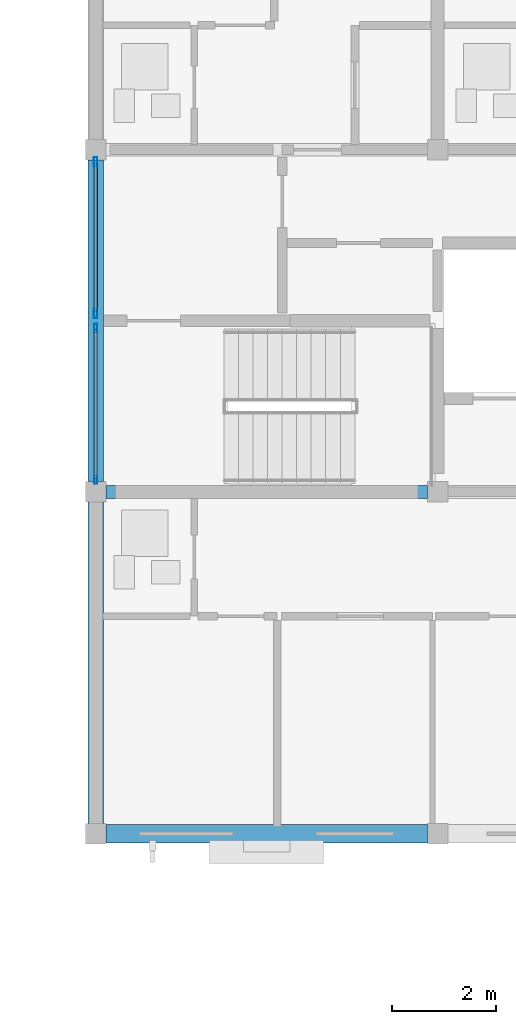
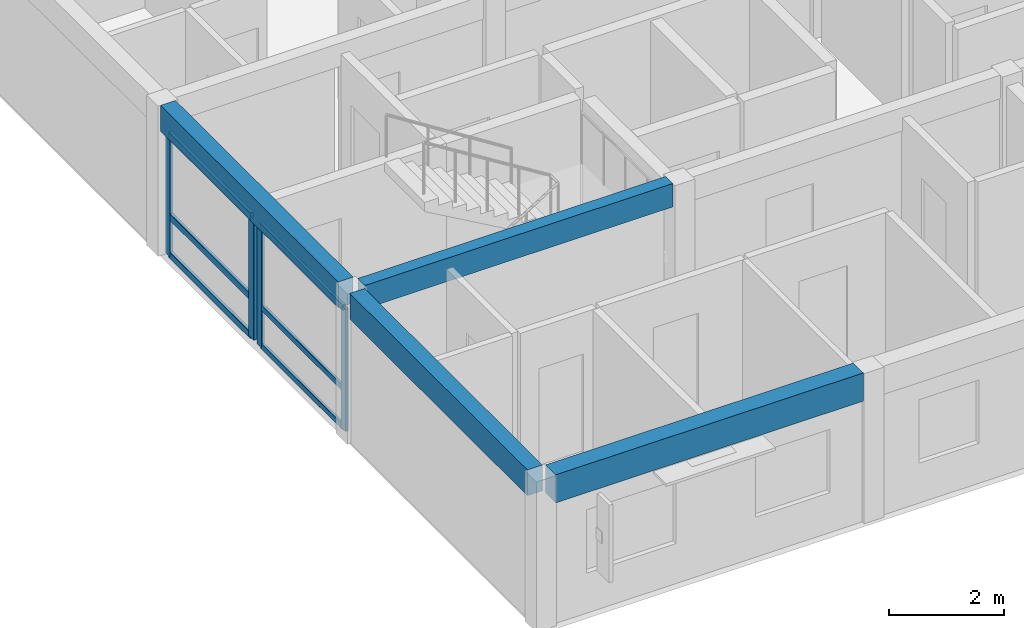
# One storey, part 6 of 22: 10 members, 4 beams, 2 elements without a shape of their own.
"""IFC4 building model written with IfcOpenShell, lengths in metres."""

from ifc_helpers import new_model, si_unit, direction, frame, origin, origin_2d, place, context, subcontext, project, spatial, rectangle, hollow_rectangle, extrude, material, material_profile, profile_set, type_object, element, aggregate, save


model = new_model("IFC4")

# Units and contexts
model_context = context("Model", 3, precision=1e-05, world=origin(), true_north=direction((0.0, 1.0)))
body_context = subcontext(model_context, "Body", "Model", "MODEL_VIEW")
ifc_project = project(units=[si_unit("LENGTHUNIT", "METRE"), si_unit("AREAUNIT", "SQUARE_METRE"), si_unit("VOLUMEUNIT", "CUBIC_METRE"), si_unit("PLANEANGLEUNIT", "RADIAN"), si_unit("MASSUNIT", "GRAM", prefix="KILO")], contexts=[model_context])

# Site, building, storey
site_placement = place(None, origin())
site = spatial("IfcSite", under=ifc_project, at=site_placement, CompositionType="ELEMENT")
building_placement = place(site_placement, origin())
building = spatial("IfcBuilding", under=site, at=building_placement, Name="Kernevlak Ridge Housing Community", CompositionType="ELEMENT")
storey_placement = place(building_placement, frame((0.0, 0.0, 43.60009765625)))
storey = spatial("IfcBuildingStorey", under=building, at=storey_placement, Name="L13", CompositionType="ELEMENT", Elevation=43.60009765625)

# Beam
ifc_material_1 = material(Name="Concrete C35/45", Category="concrete")
ifc_material_profile_1 = material_profile(ifc_material_1, rectangle(XDim=0.25, YDim=0.5, at=origin_2d()), Name="RC 250x500")
ifc_profile_set_1 = profile_set([ifc_material_profile_1], Name="Concrete C35/45")
beam_type_1 = type_object("IfcBeamType", Name="B-06", PredefinedType="T_BEAM", material=ifc_profile_set_1)
beam_1_placement = place(storey_placement, frame((119.60009765625, 89.199951171875, 2.949951171875), z_axis=(1.0, 0.0, 0.0), x_axis=(0.0, 1.0, 0.0)))
element("IfcBeam", 1, at=beam_1_placement, inside=storey, type_object=beam_type_1, Name="Beam B-06 L13 919", PredefinedType="T_BEAM", context=body_context, shape_type="SweptSolid", body=[
    extrude(rectangle(XDim=0.25, YDim=0.5, at=origin_2d()), origin(), (0.0, 0.0, 1.0), 6.199951171875),
])

# Curtain wall, members
ifc_material_2 = material(Name="Aluminium EN AW-6060 anodised and laminated glass", Category="aluminium")
curtain_wall_type_1 = type_object("IfcCurtainWallType", Name="CW-04", PredefinedType="NOTDEFINED", material=ifc_material_2)
curtain_wall_1_placement = place(storey_placement, origin())
curtain_wall_1 = element("IfcCurtainWall", 2, at=curtain_wall_1_placement, inside=storey, type_object=curtain_wall_type_1, Name="Curtain wall CW-04 CW-L13-094", PredefinedType="NOTDEFINED")
ifc_material_3 = material(Name="Aluminium EN AW-6060 anodised", Category="aluminium")
ifc_material_profile_2 = material_profile(ifc_material_3, hollow_rectangle(XDim=0.06005859375, YDim=0.159912109375, WallThickness=0.00390625, InnerFilletRadius=0.001953125, OuterFilletRadius=0.00390625, at=origin_2d()), Name="ALU 60x160x4")
ifc_profile_set_2 = profile_set([ifc_material_profile_2], Name="Aluminium EN AW-6060 anodised")
member_type_1 = type_object("IfcMemberType", Name="MU-02", PredefinedType="MULLION", material=ifc_profile_set_2)
member_1_placement = place(storey_placement, frame((119.39990234375, 89.429931640625, 0.0), z_axis=(0.0, 0.0, 1.0), x_axis=(-1.0, 0.0, 0.0)))
member_1 = element("IfcMember", 3, at=member_1_placement, type_object=member_type_1, Name="CW-04 mullion 1", PredefinedType="MULLION", context=body_context, shape_type="SweptSolid", body=[
    extrude(hollow_rectangle(XDim=0.06005859375, YDim=0.159912109375, WallThickness=0.00390625, InnerFilletRadius=0.001953125, OuterFilletRadius=0.00390625, at=origin_2d()), origin(), (0.0, 0.0, 1.0), 2.599853515625),
])
member_2_placement = place(storey_placement, frame((119.39990234375, 92.360107421875, 0.0), z_axis=(0.0, 0.0, 1.0), x_axis=(-1.0, 0.0, 0.0)))
member_2 = element("IfcMember", 4, at=member_2_placement, type_object=member_type_1, Name="CW-04 mullion 2", PredefinedType="MULLION", context=body_context, shape_type="SweptSolid", body=[
    extrude(hollow_rectangle(XDim=0.06005859375, YDim=0.159912109375, WallThickness=0.00390625, InnerFilletRadius=0.001953125, OuterFilletRadius=0.00390625, at=origin_2d()), origin(), (0.0, 0.0, 1.0), 2.599853515625),
])

curtain_wall_type_2 = type_object("IfcCurtainWallType", Name="CW-11", PredefinedType="NOTDEFINED", material=ifc_material_2)
curtain_wall_2_placement = place(storey_placement, origin())
curtain_wall_2 = element("IfcCurtainWall", 5, at=curtain_wall_2_placement, inside=storey, type_object=curtain_wall_type_2, Name="Curtain wall CW-11 CW-L13-095", PredefinedType="NOTDEFINED")
ifc_material_profile_3 = material_profile(ifc_material_3, hollow_rectangle(XDim=0.06494140625, YDim=0.179931640625, WallThickness=0.00439453125, InnerFilletRadius=0.001953125, OuterFilletRadius=0.00439453125, at=origin_2d()), Name="ALU 65x180x4.5")
ifc_profile_set_3 = profile_set([ifc_material_profile_3], Name="Aluminium EN AW-6060 anodised")
member_type_2 = type_object("IfcMemberType", Name="MU-03", PredefinedType="MULLION", material=ifc_profile_set_3)
member_3_placement = place(storey_placement, frame((119.39990234375, 92.642578125, 0.0), z_axis=(0.0, 0.0, 1.0), x_axis=(-1.0, 0.0, 0.0)))
member_3 = element("IfcMember", 6, at=member_3_placement, type_object=member_type_2, Name="CW-11 mullion 1", PredefinedType="MULLION", context=body_context, shape_type="SweptSolid", body=[
    extrude(hollow_rectangle(XDim=0.06494140625, YDim=0.179931640625, WallThickness=0.00439453125, InnerFilletRadius=0.001953125, OuterFilletRadius=0.00439453125, at=origin_2d()), origin(), (0.0, 0.0, 1.0), 2.599853515625),
])
member_4_placement = place(storey_placement, frame((119.39990234375, 95.5673828125, 0.0), z_axis=(0.0, 0.0, 1.0), x_axis=(-1.0, 0.0, 0.0)))
member_4 = element("IfcMember", 7, at=member_4_placement, type_object=member_type_2, Name="CW-11 mullion 2", PredefinedType="MULLION", context=body_context, shape_type="SweptSolid", body=[
    extrude(hollow_rectangle(XDim=0.06494140625, YDim=0.179931640625, WallThickness=0.00439453125, InnerFilletRadius=0.001953125, OuterFilletRadius=0.00439453125, at=origin_2d()), origin(), (0.0, 0.0, 1.0), 2.599853515625),
])

# Beams
ifc_material_profile_4 = material_profile(ifc_material_1, rectangle(XDim=0.300048828125, YDim=0.550048828125, at=origin_2d()), Name="RC 300x550")
ifc_profile_set_4 = profile_set([ifc_material_profile_4], Name="Concrete C35/45")
beam_type_2 = type_object("IfcBeamType", Name="SP-01", PredefinedType="SPANDREL", material=ifc_profile_set_4)
beam_2_placement = place(storey_placement, frame((119.39990234375, 82.800048828125, 2.9248046875), z_axis=(0.0, 1.0, 0.0), x_axis=(-1.0, 0.0, 0.0)))
element("IfcBeam", 8, at=beam_2_placement, inside=storey, type_object=beam_type_2, Name="Beam SP-01 L13 931", PredefinedType="SPANDREL", context=body_context, shape_type="SweptSolid", body=[
    extrude(rectangle(XDim=0.300048828125, YDim=0.550048828125, at=origin_2d()), origin(), (0.0, 0.0, 1.0), 6.199951171875),
])
beam_3_placement = place(storey_placement, frame((119.39990234375, 89.39990234375, 2.9248046875), z_axis=(0.0, 1.0, 0.0), x_axis=(-1.0, 0.0, 0.0)))
element("IfcBeam", 9, at=beam_3_placement, inside=storey, type_object=beam_type_2, Name="Beam SP-01 L13 932", PredefinedType="SPANDREL", context=body_context, shape_type="SweptSolid", body=[
    extrude(rectangle(XDim=0.300048828125, YDim=0.550048828125, at=origin_2d()), origin(), (0.0, 0.0, 1.0), 6.2001953125),
])
ifc_material_profile_5 = material_profile(ifc_material_1, rectangle(XDim=0.35009765625, YDim=0.60009765625, at=origin_2d()), Name="RC 350x600")
ifc_profile_set_5 = profile_set([ifc_material_profile_5], Name="Concrete C35/45")
beam_type_3 = type_object("IfcBeamType", Name="SP-03", PredefinedType="SPANDREL", material=ifc_profile_set_5)
beam_4_placement = place(storey_placement, frame((119.60009765625, 82.60009765625, 2.89990234375), z_axis=(1.0, 0.0, 0.0), x_axis=(0.0, 1.0, 0.0)))
element("IfcBeam", 10, at=beam_4_placement, inside=storey, type_object=beam_type_3, Name="Beam SP-03 L13 915", PredefinedType="SPANDREL", context=body_context, shape_type="SweptSolid", body=[
    extrude(rectangle(XDim=0.35009765625, YDim=0.60009765625, at=origin_2d()), origin(), (0.0, 0.0, 1.0), 6.199951171875),
])

# Member
ifc_material_profile_6 = material_profile(ifc_material_3, hollow_rectangle(XDim=0.06005859375, YDim=0.1201171875, WallThickness=0.00390625, InnerFilletRadius=0.001953125, OuterFilletRadius=0.00390625, at=origin_2d()), Name="ALU 60x120x4")
ifc_profile_set_6 = profile_set([ifc_material_profile_6], Name="Aluminium EN AW-6060 anodised")
member_type_3 = type_object("IfcMemberType", Name="TM-02", PredefinedType="USERDEFINED", material=ifc_profile_set_6)
member_5_placement = place(storey_placement, frame((119.39990234375, 89.4599609375, 0.02978515625), z_axis=(0.0, 1.0, 0.0), x_axis=(-1.0, 0.0, 0.0)))
member_5 = element("IfcMember", 11, at=member_5_placement, type_object=member_type_3, Name="CW-04 transom 1.1", ObjectType="TRANSOM", PredefinedType="USERDEFINED", context=body_context, shape_type="SweptSolid", body=[
    extrude(hollow_rectangle(XDim=0.06005859375, YDim=0.1201171875, WallThickness=0.00390625, InnerFilletRadius=0.001953125, OuterFilletRadius=0.00390625, at=origin_2d()), origin(), (0.0, 0.0, 1.0), 2.8701171875),
])

member_6_placement = place(storey_placement, frame((119.39990234375, 89.4599609375, 0.849853515625), z_axis=(0.0, 1.0, 0.0), x_axis=(-1.0, 0.0, 0.0)))
member_6 = element("IfcMember", 12, at=member_6_placement, type_object=member_type_3, Name="CW-04 transom 1.2", ObjectType="TRANSOM", PredefinedType="USERDEFINED", context=body_context, shape_type="SweptSolid", body=[
    extrude(hollow_rectangle(XDim=0.06005859375, YDim=0.1201171875, WallThickness=0.00390625, InnerFilletRadius=0.001953125, OuterFilletRadius=0.00390625, at=origin_2d()), origin(), (0.0, 0.0, 1.0), 2.8701171875),
])

member_7_placement = place(storey_placement, frame((119.39990234375, 89.4599609375, 2.56982421875), z_axis=(0.0, 1.0, 0.0), x_axis=(-1.0, 0.0, 0.0)))
member_7 = element("IfcMember", 13, at=member_7_placement, type_object=member_type_3, Name="CW-04 transom 1.3", ObjectType="TRANSOM", PredefinedType="USERDEFINED", context=body_context, shape_type="SweptSolid", body=[
    extrude(hollow_rectangle(XDim=0.06005859375, YDim=0.1201171875, WallThickness=0.00390625, InnerFilletRadius=0.001953125, OuterFilletRadius=0.00390625, at=origin_2d()), origin(), (0.0, 0.0, 1.0), 2.8701171875),
])

aggregate(curtain_wall_1, [member_1, member_2, member_5, member_6, member_7])

ifc_material_profile_7 = material_profile(ifc_material_3, hollow_rectangle(XDim=0.06494140625, YDim=0.139892578125, WallThickness=0.00390625, InnerFilletRadius=0.001953125, OuterFilletRadius=0.00390625, at=origin_2d()), Name="ALU 65x140x4")
ifc_profile_set_7 = profile_set([ifc_material_profile_7], Name="Aluminium EN AW-6060 anodised")
member_type_4 = type_object("IfcMemberType", Name="TM-03", PredefinedType="USERDEFINED", material=ifc_profile_set_7)
member_8_placement = place(storey_placement, frame((119.39990234375, 92.675048828125, 0.032470703125), z_axis=(0.0, 1.0, 0.0), x_axis=(-1.0, 0.0, 0.0)))
member_8 = element("IfcMember", 14, at=member_8_placement, type_object=member_type_4, Name="CW-11 transom 1.1", ObjectType="TRANSOM", PredefinedType="USERDEFINED", context=body_context, shape_type="SweptSolid", body=[
    extrude(hollow_rectangle(XDim=0.06494140625, YDim=0.139892578125, WallThickness=0.00390625, InnerFilletRadius=0.001953125, OuterFilletRadius=0.00390625, at=origin_2d()), origin(), (0.0, 0.0, 1.0), 2.85986328125),
])

member_9_placement = place(storey_placement, frame((119.39990234375, 92.675048828125, 0.849853515625), z_axis=(0.0, 1.0, 0.0), x_axis=(-1.0, 0.0, 0.0)))
member_9 = element("IfcMember", 15, at=member_9_placement, type_object=member_type_4, Name="CW-11 transom 1.2", ObjectType="TRANSOM", PredefinedType="USERDEFINED", context=body_context, shape_type="SweptSolid", body=[
    extrude(hollow_rectangle(XDim=0.06494140625, YDim=0.139892578125, WallThickness=0.00390625, InnerFilletRadius=0.001953125, OuterFilletRadius=0.00390625, at=origin_2d()), origin(), (0.0, 0.0, 1.0), 2.85986328125),
])

member_10_placement = place(storey_placement, frame((119.39990234375, 92.675048828125, 2.5673828125), z_axis=(0.0, 1.0, 0.0), x_axis=(-1.0, 0.0, 0.0)))
member_10 = element("IfcMember", 16, at=member_10_placement, type_object=member_type_4, Name="CW-11 transom 1.3", ObjectType="TRANSOM", PredefinedType="USERDEFINED", context=body_context, shape_type="SweptSolid", body=[
    extrude(hollow_rectangle(XDim=0.06494140625, YDim=0.139892578125, WallThickness=0.00390625, InnerFilletRadius=0.001953125, OuterFilletRadius=0.00390625, at=origin_2d()), origin(), (0.0, 0.0, 1.0), 2.85986328125),
])

aggregate(curtain_wall_2, [member_3, member_4, member_8, member_9, member_10])

save(model, "model.ifc")
